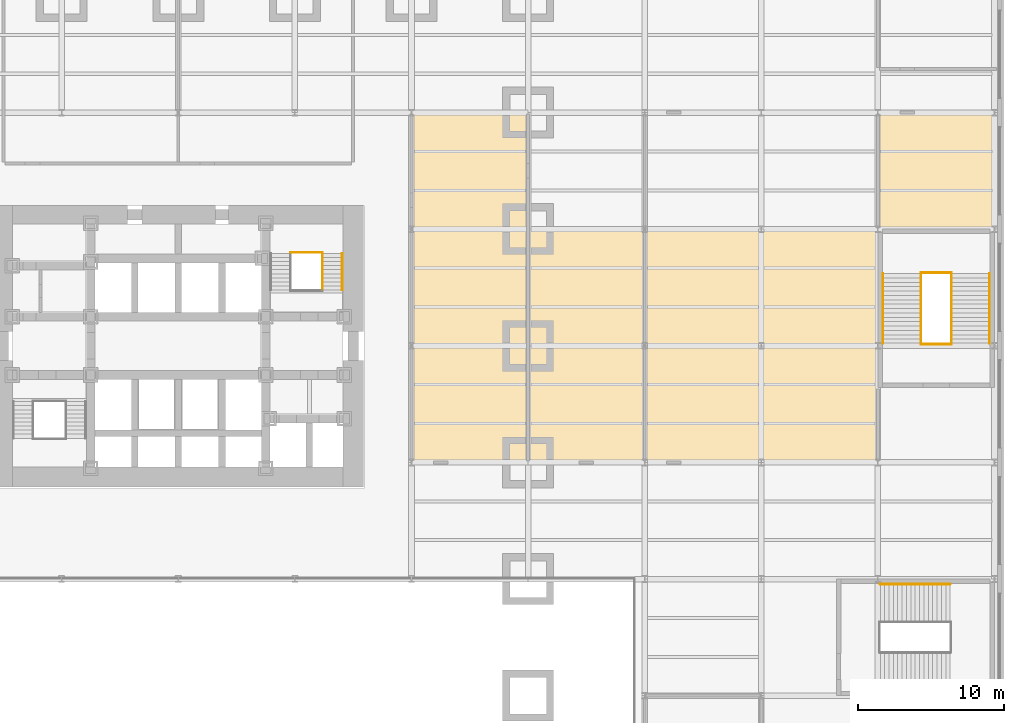
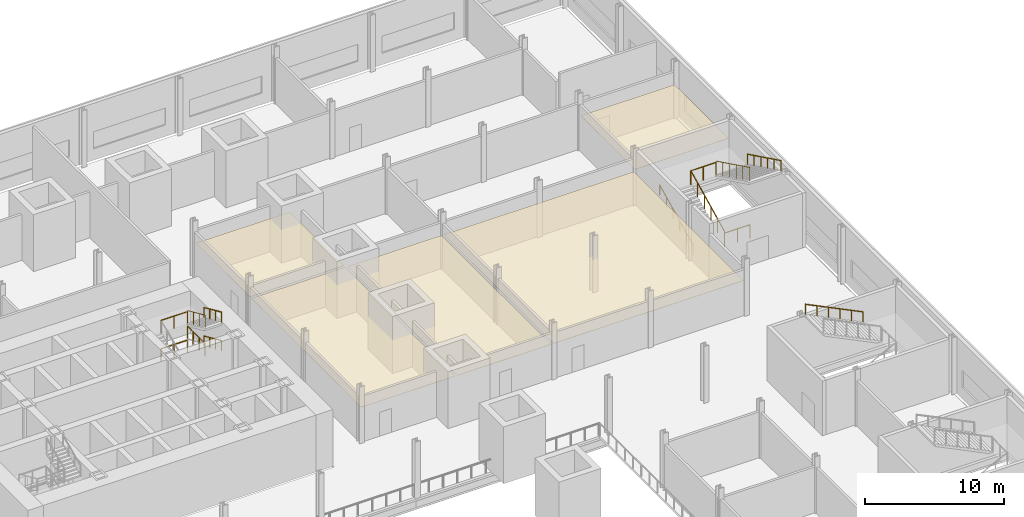
# One storey, part 18 of 18: 13 railings, 5 coverings.
"""IFC4 building model written with IfcOpenShell, lengths in metres."""

import ifcopenshell
import ifcopenshell.guid

model = None  # the IFC model being written
_history = None  # IfcOwnerHistory: only IFC2X3 demands one
_inside = {}  # id of a spatial element -> (the spatial element, [elements in it])
_under = {}  # id of a project, library or spatial element -> (it, [spatial elements below it])
_declared = {}  # id of a project -> (the project, [libraries it declares])
_typed = {}  # id of a type object -> (the type object, [elements of that type])
_made_of = {}  # id of a material, layer set ... -> (it, [elements and type objects made of it])


def new_model(schema):
    """Start an empty IFC model of exactly this schema.

    Asked for "IFC4X3", IfcOpenShell would pick the latest addendum, in which some entities
    have other attributes; the version numbers below select the first issue.
    IFC2X3 requires an IfcOwnerHistory on every rooted entity: one is made here for all.
    """
    global model, _history
    if schema == "IFC4X3":
        model = ifcopenshell.file(schema_version=(4, 3, 0, 0))
    else:
        model = ifcopenshell.file(schema=schema)
    _inside.clear()
    _under.clear()
    _declared.clear()
    _typed.clear()
    _made_of.clear()
    _history = None
    if model.schema == "IFC2X3":
        org = make("IfcOrganization", Name="unknown")
        user = make(
            "IfcPersonAndOrganization",
            ThePerson=make("IfcPerson", FamilyName="unknown"),
            TheOrganization=org,
        )
        app = make(
            "IfcApplication",
            ApplicationDeveloper=org,
            Version="unknown",
            ApplicationFullName="unknown",
            ApplicationIdentifier="unknown",
        )
        _history = make(
            "IfcOwnerHistory",
            OwningUser=user,
            OwningApplication=app,
            ChangeAction="ADDED",
            CreationDate=0,
        )
    return model


def make(cls, **values):
    """One entity of the class cls with the attributes given. An attribute that is None is left unset."""
    return model.create_entity(
        cls, **{name: value for name, value in values.items() if value is not None}
    )


def rooted(cls, **values):
    """An entity with a GlobalId (a new one), such as an element, a storey or a relation."""
    return make(cls, GlobalId=ifcopenshell.guid.new(), OwnerHistory=_history, **values)


def si_unit(unit_type, name, prefix=None):
    """IfcSIUnit, for example si_unit("LENGTHUNIT", "METRE", prefix="MILLI")."""
    return make("IfcSIUnit", UnitType=unit_type, Prefix=prefix, Name=name)


def assignment(units):
    """IfcUnitAssignment: the units of a project."""
    return None if units is None else make("IfcUnitAssignment", Units=units)


def point(xyz):
    """IfcCartesianPoint."""
    return None if xyz is None else make("IfcCartesianPoint", Coordinates=xyz)


def direction(xyz):
    """IfcDirection."""
    return None if xyz is None else make("IfcDirection", DirectionRatios=xyz)


def frame(location, z_axis=None, x_axis=None):
    """IfcAxis2Placement3D, a coordinate frame: its origin and axes. An axis left out is left unset."""
    return make(
        "IfcAxis2Placement3D",
        Location=point(location),
        Axis=direction(z_axis),
        RefDirection=direction(x_axis),
    )


def frame_2d(location, x_axis=None):
    """IfcAxis2Placement2D, a coordinate frame in the plane: its origin and x axis."""
    return make(
        "IfcAxis2Placement2D", Location=point(location), RefDirection=direction(x_axis)
    )


def origin():
    """The frame at (0, 0, 0) with its axes left unset."""
    return frame((0.0, 0.0, 0.0))


def origin_2d():
    """The frame at (0, 0) in the plane with its x axis left unset."""
    return frame_2d((0.0, 0.0))


def place(relative_to, where):
    """IfcLocalPlacement: puts the frame where relative to a parent placement (None: the world)."""
    return make(
        "IfcLocalPlacement", PlacementRelTo=relative_to, RelativePlacement=where
    )


def context(
    kind, dimensions, precision=None, world=None, true_north=None, identifier=None
):
    """IfcGeometricRepresentationContext, for example the 3D "Model" context."""
    return make(
        "IfcGeometricRepresentationContext",
        ContextIdentifier=identifier,
        ContextType=kind,
        CoordinateSpaceDimension=dimensions,
        Precision=precision,
        WorldCoordinateSystem=world,
        TrueNorth=true_north,
    )


def subcontext(parent, identifier, kind, view, scale=None):
    """IfcGeometricRepresentationSubContext, for example "Body" below "Model"."""
    return make(
        "IfcGeometricRepresentationSubContext",
        ContextIdentifier=identifier,
        ContextType=kind,
        ParentContext=parent,
        TargetScale=scale,
        TargetView=view,
    )


def project(units=None, contexts=None):
    """IfcProject with its units and contexts."""
    return rooted(
        "IfcProject",
        Name="project",
        RepresentationContexts=contexts,
        UnitsInContext=assignment(units),
    )


def spatial(cls, under=None, at=None, **own):
    """A site, building, storey or space (cls), placed at a placement, below another one or the project."""
    s = rooted(cls, ObjectPlacement=at, **own)
    if under is not None:
        _under.setdefault(under.id(), (under, []))[1].append(s)
    return s


def polyline(points):
    """IfcPolyline through the points."""
    return make("IfcPolyline", Points=[point(p) for p in points])


def profile(cls, at=None, kind="AREA", **sizes):
    """A parametric profile (cls). Its sizes go by their IFC names, for example OverallWidth=200.0."""
    return make(cls, ProfileType=kind, Position=at, **sizes)


def circle(**sizes):
    """IfcCircleProfileDef."""
    return profile("IfcCircleProfileDef", **sizes)


def outline(outer, holes=None, kind="AREA"):
    """IfcArbitraryClosedProfileDef: a profile drawn as a closed curve; with holes, ...WithVoids."""
    if holes is None:
        return make("IfcArbitraryClosedProfileDef", ProfileType=kind, OuterCurve=outer)
    return make(
        "IfcArbitraryProfileDefWithVoids",
        ProfileType=kind,
        OuterCurve=outer,
        InnerCurves=holes,
    )


def extrude(swept, where, along, depth):
    """IfcExtrudedAreaSolid: the profile swept, set in the frame where, extruded along a direction by depth."""
    return make(
        "IfcExtrudedAreaSolid",
        SweptArea=swept,
        Position=where,
        ExtrudedDirection=direction(along),
        Depth=depth,
    )


def shape(context_of_items, identifier, shape_type, items):
    """IfcShapeRepresentation: the items that make up one representation, for example the "Body"."""
    return make(
        "IfcShapeRepresentation",
        ContextOfItems=context_of_items,
        RepresentationIdentifier=identifier,
        RepresentationType=shape_type,
        Items=items,
    )


def material(Name=None, Category=None):
    """IfcMaterial."""
    return make("IfcMaterial", Name=Name, Category=Category)


def layer(
    of_material, thickness, ventilated=None, Name=None, Category=None, Priority=None
):
    """IfcMaterialLayer: one layer of a wall or slab, of a material (None: an air gap)."""
    return make(
        "IfcMaterialLayer",
        Material=of_material,
        LayerThickness=thickness,
        IsVentilated=ventilated,
        Name=Name,
        Category=Category,
        Priority=Priority,
    )


def layer_set(layers, Name=None):
    """IfcMaterialLayerSet."""
    return make("IfcMaterialLayerSet", MaterialLayers=layers, LayerSetName=Name)


def made_of(thing, what):
    """Note that an element or type object is made of a material, layer set ...; save() writes the relation."""
    if what is not None:
        _made_of.setdefault(what.id(), (what, []))[1].append(thing)
    return thing


def type_object(cls, material=None, **own):
    """A type object (cls), such as IfcWallType, which elements share."""
    return made_of(rooted(cls, **own), material)


def element(
    cls,
    number,
    at=None,
    inside=None,
    cuts=None,
    type_object=None,
    material=None,
    context=None,
    identifier="Body",
    shape_type=None,
    held_by="IfcProductDefinitionShape",
    body=None,
    shapes=None,
    **own,
):
    """One element of the class cls, such as IfcWall. Its Tag is "e" and its number.

    at: its placement. inside: the storey or other place that contains it. cuts: it is an
    opening in that element (IfcRelVoidsElement). A single representation is given by context,
    identifier, shape_type and body (its items); several are given by shapes. held_by: the class
    of the entity that holds the representations. save() writes the other relations.
    """
    e = rooted(cls, Tag="e%d" % number, ObjectPlacement=at, **own)
    if body is not None:
        shapes = [shape(context, identifier, shape_type, body)]
    if shapes is not None:
        e.Representation = make(held_by, Representations=shapes)
    if inside is not None:
        _inside.setdefault(inside.id(), (inside, []))[1].append(e)
    if cuts is not None:
        rooted(
            "IfcRelVoidsElement", RelatingBuildingElement=cuts, RelatedOpeningElement=e
        )
    if type_object is not None:
        _typed.setdefault(type_object.id(), (type_object, []))[1].append(e)
    return made_of(e, material)


def aggregate(whole, parts):
    """IfcRelAggregates: a whole, such as a stair, and the parts it consists of."""
    return rooted("IfcRelAggregates", RelatingObject=whole, RelatedObjects=parts)


def save(model, path):
    """Write the relations noted so far, then the file.

    IfcRelAggregates (storeys below a building ...), IfcRelContainedInSpatialStructure (elements
    in a storey), IfcRelDefinesByType, IfcRelAssociatesMaterial and IfcRelDeclares: one each for
    every whole, place, type object, material and project.
    """
    for whole, parts in _under.values():
        aggregate(whole, parts)
    for where, things in _inside.values():
        rooted(
            "IfcRelContainedInSpatialStructure",
            RelatedElements=things,
            RelatingStructure=where,
        )
    for kind, things in _typed.values():
        rooted("IfcRelDefinesByType", RelatedObjects=things, RelatingType=kind)
    for what, things in _made_of.values():
        rooted("IfcRelAssociatesMaterial", RelatedObjects=things, RelatingMaterial=what)
    for by, libraries in _declared.values():
        rooted("IfcRelDeclares", RelatingContext=by, RelatedDefinitions=libraries)
    model.write(path)


model = new_model("IFC4")

# Units and contexts
model_context = context("Model", 3, precision=1e-05, world=origin(), true_north=direction((0.0, 1.0)))
body_context = subcontext(model_context, "Body", "Model", "MODEL_VIEW")
ifc_project = project(units=[si_unit("LENGTHUNIT", "METRE"), si_unit("AREAUNIT", "SQUARE_METRE"), si_unit("VOLUMEUNIT", "CUBIC_METRE"), si_unit("PLANEANGLEUNIT", "RADIAN"), si_unit("MASSUNIT", "GRAM", prefix="KILO")], contexts=[model_context])

# Site, building, storey
site_placement = place(None, origin())
site = spatial("IfcSite", under=ifc_project, at=site_placement, CompositionType="ELEMENT")
building_placement = place(site_placement, origin())
building = spatial("IfcBuilding", under=site, at=building_placement, Name="Daluyong Arena Tower", CompositionType="ELEMENT")
storey_placement = place(building_placement, frame((0.0, 0.0, 4.89990234375)))
storey = spatial("IfcBuildingStorey", under=building, at=storey_placement, Name="L01", CompositionType="ELEMENT", Elevation=4.89990234375)

# Coverings
ifc_material_1 = material(Name="Mineral fibre ceiling tile", Category="gypsum board")
ifc_layer = layer(ifc_material_1, 0.02001953125)
ifc_layer_set = layer_set([ifc_layer], Name="Mineral fibre ceiling tile")
covering_type = type_object("IfcCoveringType", Name="Office ceiling", PredefinedType="CEILING", material=ifc_layer_set)
covering_1_placement = place(storey_placement, frame((0.0, 0.0, 2.900146484375)))
element("IfcCovering", 1, at=covering_1_placement, inside=storey, type_object=covering_type, Name="ceiling L01-47", PredefinedType="CEILING", context=body_context, shape_type="SweptSolid", body=[
    extrude(outline(polyline([(79.89990234375, 72.10009765625), (79.89990234375, 87.89990234375), (72.10009765625, 87.89990234375), (72.10009765625, 72.10009765625), (79.89990234375, 72.10009765625)])), origin(), (0.0, 0.0, 1.0), 0.02001953125),
])
covering_2_placement = place(storey_placement, frame((0.0, 0.0, 2.900146484375)))
element("IfcCovering", 2, at=covering_2_placement, inside=storey, type_object=covering_type, Name="ceiling L01-48", PredefinedType="CEILING", context=body_context, shape_type="SweptSolid", body=[
    extrude(outline(polyline([(87.89990234375, 72.10009765625), (87.89990234375, 87.89990234375), (80.10009765625, 87.89990234375), (80.10009765625, 72.10009765625), (87.89990234375, 72.10009765625)])), origin(), (0.0, 0.0, 1.0), 0.02001953125),
])
covering_3_placement = place(storey_placement, frame((0.0, 0.0, 2.900146484375)))
element("IfcCovering", 3, at=covering_3_placement, inside=storey, type_object=covering_type, Name="ceiling L01-49", PredefinedType="CEILING", context=body_context, shape_type="SweptSolid", body=[
    extrude(outline(polyline([(103.89990234375, 72.10009765625), (103.89990234375, 87.89990234375), (88.10009765625, 87.89990234375), (88.10009765625, 72.10009765625), (103.89990234375, 72.10009765625)])), origin(), (0.0, 0.0, 1.0), 0.02001953125),
])
covering_4_placement = place(storey_placement, frame((0.0, 0.0, 2.900146484375)))
element("IfcCovering", 4, at=covering_4_placement, inside=storey, type_object=covering_type, Name="ceiling L01-50", PredefinedType="CEILING", context=body_context, shape_type="SweptSolid", body=[
    extrude(outline(polyline([(79.89990234375, 88.10009765625), (79.89990234375, 95.89990234375), (72.10009765625, 95.89990234375), (72.10009765625, 88.10009765625), (79.89990234375, 88.10009765625)])), origin(), (0.0, 0.0, 1.0), 0.02001953125),
])
covering_5_placement = place(storey_placement, frame((0.0, 0.0, 2.900146484375)))
element("IfcCovering", 5, at=covering_5_placement, inside=storey, type_object=covering_type, Name="ceiling L01-54", PredefinedType="CEILING", context=body_context, shape_type="SweptSolid", body=[
    extrude(outline(polyline([(111.89990234375, 88.10009765625), (111.89990234375, 95.89990234375), (104.10009765625, 95.89990234375), (104.10009765625, 88.10009765625), (111.89990234375, 88.10009765625)])), origin(), (0.0, 0.0, 1.0), 0.02001953125),
])

# Railings
ifc_material_2 = material(Name="Stainless steel handrail", Category="steel")
railing_type_1 = type_object("IfcRailingType", Name="Stair handrail", PredefinedType="HANDRAIL", material=ifc_material_2)
for number, where, name in (
    (6, (67.25, 86.344970703125, 1.375), "exit stair B handrail L01"),
    (7, (67.25, 86.344970703125, 3.875), "exit stair B handrail L01"),
):
    element("IfcRailing", number, at=place(storey_placement, frame(where)), inside=storey, type_object=railing_type_1, Name=name, PredefinedType="HANDRAIL", context=body_context, shape_type="SweptSolid", body=[
        extrude(circle(Radius=0.02392578125, at=origin_2d()), frame((0.0, 0.0, 0.8759765625), z_axis=(0.0, -0.913139058521, 0.407648205936), x_axis=(1.0, 0.0, 0.0)), (0.0, 0.0, 1.0), 2.759765625),
        extrude(circle(Radius=0.02099609375, at=origin_2d()), origin(), (0.0, 0.0, 1.0), 0.851806640625),
        extrude(circle(Radius=0.02099609375, at=origin_2d()), frame((0.0, -0.840087890625, 0.375)), (0.0, 0.0, 1.0), 0.851806640625),
        extrude(circle(Radius=0.02099609375, at=origin_2d()), frame((0.0, -1.679931640625, 0.75)), (0.0, 0.0, 1.0), 0.851806640625),
        extrude(circle(Radius=0.02099609375, at=origin_2d()), frame((0.0, -2.52001953125, 1.125)), (0.0, 0.0, 1.0), 0.851806640625),
    ])
railing_1_placement = place(storey_placement, frame((104.35009765625, 80.159912109375, 0.147216796875)))
element("IfcRailing", 8, at=railing_1_placement, inside=storey, type_object=railing_type_1, Name="exit stair PS6 handrail L01", PredefinedType="HANDRAIL", context=body_context, shape_type="SweptSolid", body=[
    extrude(circle(Radius=0.02392578125, at=origin_2d()), frame((0.0, 0.0, 0.8759765625), z_axis=(0.0, 0.89793417156, 0.440129780343), x_axis=(-1.0, 0.0, 0.0)), (0.0, 0.0, 1.0), 5.345703125),
    extrude(circle(Radius=0.02099609375, at=origin_2d()), origin(), (0.0, 0.0, 1.0), 0.851806640625),
    extrude(circle(Radius=0.02099609375, at=origin_2d()), frame((0.0, 0.9599609375, 0.470458984375)), (0.0, 0.0, 1.0), 0.851806640625),
    extrude(circle(Radius=0.02099609375, at=origin_2d()), frame((0.0, 1.919921875, 0.941162109375)), (0.0, 0.0, 1.0), 0.851806640625),
    extrude(circle(Radius=0.02099609375, at=origin_2d()), frame((0.0, 2.880126953125, 1.41162109375)), (0.0, 0.0, 1.0), 0.851806640625),
    extrude(circle(Radius=0.02099609375, at=origin_2d()), frame((0.0, 3.840087890625, 1.88232421875)), (0.0, 0.0, 1.0), 0.851806640625),
    extrude(circle(Radius=0.02099609375, at=origin_2d()), frame((0.0, 4.800048828125, 2.352783203125)), (0.0, 0.0, 1.0), 0.851806640625),
])
railing_2_placement = place(storey_placement, frame((111.64990234375, 84.9599609375, 2.647216796875)))
element("IfcRailing", 9, at=railing_2_placement, inside=storey, type_object=railing_type_1, Name="exit stair PS6 handrail L01", PredefinedType="HANDRAIL", context=body_context, shape_type="SweptSolid", body=[
    extrude(circle(Radius=0.02392578125, at=origin_2d()), frame((0.0, 0.0, 0.8759765625), z_axis=(0.0, -0.89793417156, 0.440129780343), x_axis=(1.0, 0.0, 0.0)), (0.0, 0.0, 1.0), 5.345703125),
    extrude(circle(Radius=0.02099609375, at=origin_2d()), origin(), (0.0, 0.0, 1.0), 0.851806640625),
    extrude(circle(Radius=0.02099609375, at=origin_2d()), frame((0.0, -0.9599609375, 0.470458984375)), (0.0, 0.0, 1.0), 0.851806640625),
    extrude(circle(Radius=0.02099609375, at=origin_2d()), frame((0.0, -1.919921875, 0.941162109375)), (0.0, 0.0, 1.0), 0.851806640625),
    extrude(circle(Radius=0.02099609375, at=origin_2d()), frame((0.0, -2.880126953125, 1.41162109375)), (0.0, 0.0, 1.0), 0.851806640625),
    extrude(circle(Radius=0.02099609375, at=origin_2d()), frame((0.0, -3.840087890625, 1.88232421875)), (0.0, 0.0, 1.0), 0.851806640625),
    extrude(circle(Radius=0.02099609375, at=origin_2d()), frame((0.0, -4.800048828125, 2.352783203125)), (0.0, 0.0, 1.0), 0.851806640625),
])
railing_3_placement = place(storey_placement, frame((108.9599609375, 63.64990234375, 2.647216796875)))
element("IfcRailing", 10, at=railing_3_placement, inside=storey, type_object=railing_type_1, Name="exit stair PS8 handrail L01", PredefinedType="HANDRAIL", context=body_context, shape_type="SweptSolid", body=[
    extrude(circle(Radius=0.02392578125, at=origin_2d()), frame((0.0, 0.0, 0.8759765625), z_axis=(-0.89793417156, 0.0, 0.440129780343), x_axis=(0.0, -1.0, 0.0)), (0.0, 0.0, 1.0), 5.345703125),
    extrude(circle(Radius=0.02099609375, at=origin_2d()), origin(), (0.0, 0.0, 1.0), 0.851806640625),
    extrude(circle(Radius=0.02099609375, at=origin_2d()), frame((-0.9599609375, 0.0, 0.470458984375)), (0.0, 0.0, 1.0), 0.851806640625),
    extrude(circle(Radius=0.02099609375, at=origin_2d()), frame((-1.919921875, 0.0, 0.941162109375)), (0.0, 0.0, 1.0), 0.851806640625),
    extrude(circle(Radius=0.02099609375, at=origin_2d()), frame((-2.880126953125, 0.0, 1.41162109375)), (0.0, 0.0, 1.0), 0.851806640625),
    extrude(circle(Radius=0.02099609375, at=origin_2d()), frame((-3.840087890625, 0.0, 1.88232421875)), (0.0, 0.0, 1.0), 0.851806640625),
    extrude(circle(Radius=0.02099609375, at=origin_2d()), frame((-4.800048828125, 0.0, 2.352783203125)), (0.0, 0.0, 1.0), 0.851806640625),
])
ifc_material_3 = material(Name="Steel balustrade", Category="steel")
railing_type_2 = type_object("IfcRailingType", Name="Stair well guard 1100", PredefinedType="GUARDRAIL", material=ifc_material_3)
railing_4_placement = place(storey_placement, frame((65.89990234375, 86.344970703125, 3.875)))
element("IfcRailing", 11, at=railing_4_placement, inside=storey, type_object=railing_type_2, Name="exit stair B well guard L01", PredefinedType="GUARDRAIL", context=body_context, shape_type="SweptSolid", body=[
    extrude(circle(Radius=0.02392578125, at=origin_2d()), frame((0.0, 0.0, 1.076171875), z_axis=(0.0, -0.913139058521, 0.407648205936), x_axis=(1.0, 0.0, 0.0)), (0.0, 0.0, 1.0), 2.759765625),
    extrude(circle(Radius=0.02099609375, at=origin_2d()), origin(), (0.0, 0.0, 1.0), 1.052001953125),
    extrude(circle(Radius=0.02099609375, at=origin_2d()), frame((0.0, -0.840087890625, 0.375)), (0.0, 0.0, 1.0), 1.052001953125),
    extrude(circle(Radius=0.02099609375, at=origin_2d()), frame((0.0, -1.679931640625, 0.75)), (0.0, 0.0, 1.0), 1.052001953125),
    extrude(circle(Radius=0.02099609375, at=origin_2d()), frame((0.0, -2.52001953125, 1.125)), (0.0, 0.0, 1.0), 1.052001953125),
])
for number, where, name in (
    (12, (63.699951171875, 86.39501953125, 1.25), "exit stair B landing guard L01"),
    (13, (63.699951171875, 86.39501953125, 3.75), "exit stair B landing guard L01"),
):
    element("IfcRailing", number, at=place(storey_placement, frame(where)), inside=storey, type_object=railing_type_2, Name=name, PredefinedType="GUARDRAIL", context=body_context, shape_type="SweptSolid", body=[
        extrude(circle(Radius=0.02392578125, at=origin_2d()), frame((0.0, 0.0, 1.076171875), z_axis=(1.0, 0.0, 0.0), x_axis=(0.0, 1.0, 0.0)), (0.0, 0.0, 1.0), 2.199951171875),
        extrude(circle(Radius=0.02099609375, at=origin_2d()), origin(), (0.0, 0.0, 1.0), 1.052001953125),
        extrude(circle(Radius=0.02099609375, at=origin_2d()), frame((1.10009765625, 0.0, 0.0)), (0.0, 0.0, 1.0), 1.052001953125),
        extrude(circle(Radius=0.02099609375, at=origin_2d()), frame((2.199951171875, 0.0, 0.0)), (0.0, 0.0, 1.0), 1.052001953125),
    ])
railing_5_placement = place(storey_placement, frame((65.89990234375, 86.39501953125, 2.5)))
element("IfcRailing", 14, at=railing_5_placement, inside=storey, type_object=railing_type_2, Name="exit stair B landing guard L01", PredefinedType="GUARDRAIL", context=body_context, shape_type="SweptSolid", body=[
    extrude(circle(Radius=0.02392578125, at=origin_2d()), frame((0.0, 0.0, 1.076171875), z_axis=(0.0, -1.0, 0.0), x_axis=(1.0, 0.0, 0.0)), (0.0, 0.0, 1.0), 2.570068359375),
    extrude(circle(Radius=0.02099609375, at=origin_2d()), origin(), (0.0, 0.0, 1.0), 1.052001953125),
    extrude(circle(Radius=0.02099609375, at=origin_2d()), frame((0.0, -0.856689453125, 0.0)), (0.0, 0.0, 1.0), 1.052001953125),
    extrude(circle(Radius=0.02099609375, at=origin_2d()), frame((0.0, -1.71337890625, 0.0)), (0.0, 0.0, 1.0), 1.052001953125),
    extrude(circle(Radius=0.02099609375, at=origin_2d()), frame((0.0, -2.570068359375, 0.0)), (0.0, 0.0, 1.0), 1.052001953125),
])
ifc_material_4 = material(Name="Steel balustrade", Category="steel")
railing_type_3 = type_object("IfcRailingType", Name="Stair well guard 1200", PredefinedType="GUARDRAIL", material=ifc_material_4)
railing_6_placement = place(storey_placement, frame((106.949951171875, 80.159912109375, 0.147216796875)))
element("IfcRailing", 15, at=railing_6_placement, inside=storey, type_object=railing_type_3, Name="exit stair PS6 well guard L01", PredefinedType="GUARDRAIL", context=body_context, shape_type="SweptSolid", body=[
    extrude(circle(Radius=0.02392578125, at=origin_2d()), frame((0.0, 0.0, 1.17578125), z_axis=(0.0, 0.89793417156, 0.440129780343), x_axis=(-1.0, 0.0, 0.0)), (0.0, 0.0, 1.0), 5.345703125),
    extrude(circle(Radius=0.02099609375, at=origin_2d()), origin(), (0.0, 0.0, 1.0), 1.15185546875),
    extrude(circle(Radius=0.02099609375, at=origin_2d()), frame((0.0, 0.9599609375, 0.470458984375)), (0.0, 0.0, 1.0), 1.15185546875),
    extrude(circle(Radius=0.02099609375, at=origin_2d()), frame((0.0, 1.919921875, 0.941162109375)), (0.0, 0.0, 1.0), 1.15185546875),
    extrude(circle(Radius=0.02099609375, at=origin_2d()), frame((0.0, 2.880126953125, 1.41162109375)), (0.0, 0.0, 1.0), 1.15185546875),
    extrude(circle(Radius=0.02099609375, at=origin_2d()), frame((0.0, 3.840087890625, 1.88232421875)), (0.0, 0.0, 1.0), 1.15185546875),
    extrude(circle(Radius=0.02099609375, at=origin_2d()), frame((0.0, 4.800048828125, 2.352783203125)), (0.0, 0.0, 1.0), 1.15185546875),
])
railing_7_placement = place(storey_placement, frame((109.050048828125, 84.9599609375, 2.647216796875)))
element("IfcRailing", 16, at=railing_7_placement, inside=storey, type_object=railing_type_3, Name="exit stair PS6 well guard L01", PredefinedType="GUARDRAIL", context=body_context, shape_type="SweptSolid", body=[
    extrude(circle(Radius=0.02392578125, at=origin_2d()), frame((0.0, 0.0, 1.17578125), z_axis=(0.0, -0.89793417156, 0.440129780343), x_axis=(1.0, 0.0, 0.0)), (0.0, 0.0, 1.0), 5.345703125),
    extrude(circle(Radius=0.02099609375, at=origin_2d()), origin(), (0.0, 0.0, 1.0), 1.15185546875),
    extrude(circle(Radius=0.02099609375, at=origin_2d()), frame((0.0, -0.9599609375, 0.470458984375)), (0.0, 0.0, 1.0), 1.15185546875),
    extrude(circle(Radius=0.02099609375, at=origin_2d()), frame((0.0, -1.919921875, 0.941162109375)), (0.0, 0.0, 1.0), 1.15185546875),
    extrude(circle(Radius=0.02099609375, at=origin_2d()), frame((0.0, -2.880126953125, 1.41162109375)), (0.0, 0.0, 1.0), 1.15185546875),
    extrude(circle(Radius=0.02099609375, at=origin_2d()), frame((0.0, -3.840087890625, 1.88232421875)), (0.0, 0.0, 1.0), 1.15185546875),
    extrude(circle(Radius=0.02099609375, at=origin_2d()), frame((0.0, -4.800048828125, 2.352783203125)), (0.0, 0.0, 1.0), 1.15185546875),
])
for number, where, name in (
    (17, (106.949951171875, 85.010009765625, 2.5), "exit stair PS6 landing guard L01"),
    (18, (106.949951171875, 80.110107421875, 0.0), "exit stair PS6 floor landing guard L01"),
):
    element("IfcRailing", number, at=place(storey_placement, frame(where)), inside=storey, type_object=railing_type_3, Name=name, PredefinedType="GUARDRAIL", context=body_context, shape_type="SweptSolid", body=[
        extrude(circle(Radius=0.02392578125, at=origin_2d()), frame((0.0, 0.0, 1.17578125), z_axis=(1.0, 0.0, 0.0), x_axis=(0.0, 1.0, 0.0)), (0.0, 0.0, 1.0), 2.10009765625),
        extrude(circle(Radius=0.02099609375, at=origin_2d()), origin(), (0.0, 0.0, 1.0), 1.15185546875),
        extrude(circle(Radius=0.02099609375, at=origin_2d()), frame((1.050048828125, 0.0, 0.0)), (0.0, 0.0, 1.0), 1.15185546875),
        extrude(circle(Radius=0.02099609375, at=origin_2d()), frame((2.10009765625, 0.0, 0.0)), (0.0, 0.0, 1.0), 1.15185546875),
    ])

save(model, "model.ifc")
